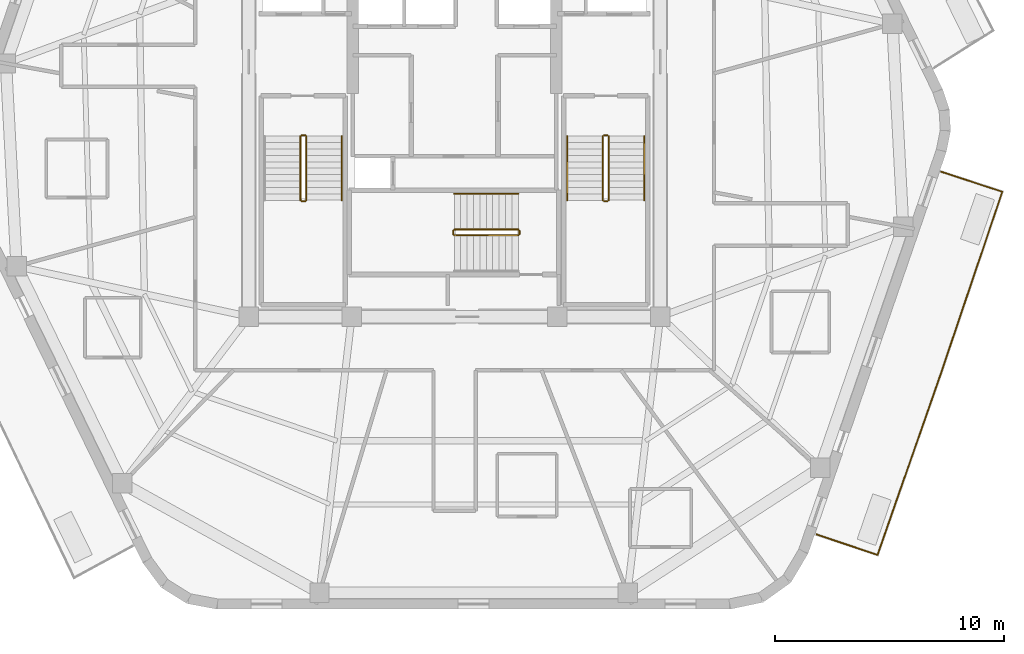
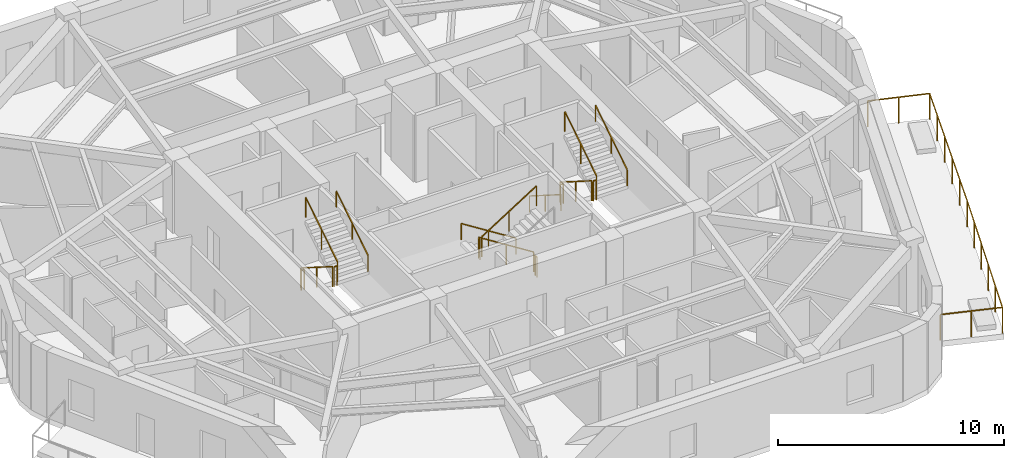
# One storey, part 8 of 9: 17 railings.
"""IFC4 building model written with IfcOpenShell, lengths in metres."""

from ifc_helpers import new_model, si_unit, direction, frame, origin, origin_2d, place, context, subcontext, project, spatial, rectangle, extrude, material, layer, layer_set, type_object, element, save


model = new_model("IFC4")

# Units and contexts
model_context = context("Model", 3, precision=1e-05, world=origin(), true_north=direction((0.0, 1.0)))
body_context = subcontext(model_context, "Body", "Model", "MODEL_VIEW")
ifc_project = project(units=[si_unit("LENGTHUNIT", "METRE"), si_unit("AREAUNIT", "SQUARE_METRE"), si_unit("VOLUMEUNIT", "CUBIC_METRE"), si_unit("PLANEANGLEUNIT", "RADIAN"), si_unit("MASSUNIT", "GRAM", prefix="KILO")], contexts=[model_context])

# Site, building, storey
site_placement = place(None, origin())
site = spatial("IfcSite", under=ifc_project, at=site_placement, CompositionType="ELEMENT")
building_placement = place(site_placement, origin())
building = spatial("IfcBuilding", under=site, at=building_placement, Name="Kilnhurst Terrace Hotel", CompositionType="ELEMENT")
storey_placement = place(building_placement, frame((0.0, 0.0, 276.89990234375)))
storey = spatial("IfcBuildingStorey", under=building, at=storey_placement, Name="L69", CompositionType="ELEMENT", Elevation=276.89990234375)

# Railings
ifc_material_1 = material(Name="Laminated SentryGlas and Stainless Steel AISI 316L Balustrade", Category="steel")
ifc_layer_1 = layer(ifc_material_1, 0.070068359375, Name="Laminated SentryGlas and Stainless Steel AISI 316L Balustrade")
ifc_layer_set_1 = layer_set([ifc_layer_1], Name="Laminated SentryGlas and Stainless Steel AISI 316L Balustrade")
railing_type_1 = type_object("IfcRailingType", Name="RLG-BAL-1420", PredefinedType="BALUSTRADE", material=ifc_layer_set_1)
railing_1_placement = place(storey_placement, frame((21.298828125, -1.166748046875, 0.0)))
element("IfcRailing", 1, at=railing_1_placement, inside=storey, type_object=railing_type_1, Name="L69 Exterior Terrace Guardrail BAL-L1A.1", PredefinedType="BALUSTRADE", context=body_context, shape_type="SweptSolid", body=[
    extrude(rectangle(XDim=0.048095703125, YDim=0.048095703125, at=origin_2d()), frame((0.0, 0.0, 1.39599609375), z_axis=(0.950394786916, -0.311046216827, 0.0), x_axis=(0.311046216827, 0.950394786916, 0.0)), (0.0, 0.0, 1.0), 2.80126953125),
    extrude(rectangle(XDim=0.048095703125, YDim=0.048095703125, at=origin_2d()), frame((2.662353515625, -0.871337890625, 1.39599609375), z_axis=(-0.319895813217, -0.94745272636, 0.0), x_axis=(0.94745272636, -0.319895813217, 0.0)), (0.0, 0.0, 1.0), 8.44091796875),
    extrude(rectangle(XDim=0.048095703125, YDim=0.048095703125, at=origin_2d()), frame((-0.037841796875, -8.86865234375, 1.39599609375), z_axis=(-0.329893619994, -0.944018113962, 0.0), x_axis=(0.944018113962, -0.329893619994, 0.0)), (0.0, 0.0, 1.0), 8.356689453125),
    extrude(rectangle(XDim=0.048095703125, YDim=0.048095703125, at=origin_2d()), frame((-2.794677734375, -16.757568359375, 1.39599609375), z_axis=(-0.948082201611, 0.318025374757, 0.0), x_axis=(-0.318025374757, -0.948082201611, 0.0)), (0.0, 0.0, 1.0), 2.810546875),
    extrude(rectangle(XDim=0.0419921875, YDim=0.0419921875, at=origin_2d()), origin(), (0.0, 0.0, 1.0), 1.371826171875),
    extrude(rectangle(XDim=0.0419921875, YDim=0.0419921875, at=origin_2d()), frame((1.3310546875, -0.435546875, 0.0)), (0.0, 0.0, 1.0), 1.371826171875),
    extrude(rectangle(XDim=0.0419921875, YDim=0.0419921875, at=origin_2d()), frame((2.662353515625, -0.871337890625, 0.0)), (0.0, 0.0, 1.0), 1.371826171875),
    extrude(rectangle(XDim=0.0419921875, YDim=0.0419921875, at=origin_2d()), frame((2.122314453125, -2.470703125, 0.0)), (0.0, 0.0, 1.0), 1.371826171875),
    extrude(rectangle(XDim=0.0419921875, YDim=0.0419921875, at=origin_2d()), frame((1.582275390625, -4.0703125, 0.0)), (0.0, 0.0, 1.0), 1.371826171875),
    extrude(rectangle(XDim=0.0419921875, YDim=0.0419921875, at=origin_2d()), frame((1.042236328125, -5.669677734375, 0.0)), (0.0, 0.0, 1.0), 1.371826171875),
    extrude(rectangle(XDim=0.0419921875, YDim=0.0419921875, at=origin_2d()), frame((0.502197265625, -7.269287109375, 0.0)), (0.0, 0.0, 1.0), 1.371826171875),
    extrude(rectangle(XDim=0.0419921875, YDim=0.0419921875, at=origin_2d()), frame((-0.037841796875, -8.86865234375, 0.0)), (0.0, 0.0, 1.0), 1.371826171875),
    extrude(rectangle(XDim=0.0419921875, YDim=0.0419921875, at=origin_2d()), frame((-0.589111328125, -10.446533203125, 0.0)), (0.0, 0.0, 1.0), 1.371826171875),
    extrude(rectangle(XDim=0.0419921875, YDim=0.0419921875, at=origin_2d()), frame((-1.140625, -12.024169921875, 0.0)), (0.0, 0.0, 1.0), 1.371826171875),
    extrude(rectangle(XDim=0.0419921875, YDim=0.0419921875, at=origin_2d()), frame((-1.69189453125, -13.60205078125, 0.0)), (0.0, 0.0, 1.0), 1.371826171875),
    extrude(rectangle(XDim=0.0419921875, YDim=0.0419921875, at=origin_2d()), frame((-2.243408203125, -15.1796875, 0.0)), (0.0, 0.0, 1.0), 1.371826171875),
    extrude(rectangle(XDim=0.0419921875, YDim=0.0419921875, at=origin_2d()), frame((-2.794677734375, -16.757568359375, 0.0)), (0.0, 0.0, 1.0), 1.371826171875),
    extrude(rectangle(XDim=0.0419921875, YDim=0.0419921875, at=origin_2d()), frame((-4.126953125, -16.310546875, 0.0)), (0.0, 0.0, 1.0), 1.371826171875),
    extrude(rectangle(XDim=0.0419921875, YDim=0.0419921875, at=origin_2d()), frame((-5.459228515625, -15.86376953125, 0.0)), (0.0, 0.0, 1.0), 1.371826171875),
])
ifc_material_2 = material(Name="Powder-Coated Steel ASTM A500 Grade B", Category="steel")
ifc_layer_2 = layer(ifc_material_2, 0.050048828125, Name="Powder-Coated Steel ASTM A500 Grade B")
ifc_layer_set_2 = layer_set([ifc_layer_2], Name="Powder-Coated Steel ASTM A500 Grade B")
railing_type_2 = type_object("IfcRailingType", Name="RLG-ST-GRD-1100", PredefinedType="GUARDRAIL", material=ifc_layer_set_2)
railing_2_placement = place(storey_placement, frame((-6.739990234375, 0.389892578125, 0.177490234375)))
element("IfcRailing", 2, at=railing_2_placement, inside=storey, type_object=railing_type_2, Name="L69 ST-1 stair guard 1", PredefinedType="GUARDRAIL", context=body_context, shape_type="SweptSolid", body=[
    extrude(rectangle(XDim=0.048095703125, YDim=0.048095703125, at=origin_2d()), frame((0.0, 0.0, 1.076171875), z_axis=(0.0, -0.844887892834, 0.53494340686), x_axis=(1.0, 0.0, 0.0)), (0.0, 0.0, 1.0), 3.313720703125),
    extrude(rectangle(XDim=0.0419921875, YDim=0.0419921875, at=origin_2d()), origin(), (0.0, 0.0, 1.0), 1.052001953125),
    extrude(rectangle(XDim=0.0419921875, YDim=0.0419921875, at=origin_2d()), frame((0.0, -1.39990234375, 0.88623046875)), (0.0, 0.0, 1.0), 1.052001953125),
    extrude(rectangle(XDim=0.0419921875, YDim=0.0419921875, at=origin_2d()), frame((0.0, -2.7998046875, 1.772705078125)), (0.0, 0.0, 1.0), 1.052001953125),
])
railing_3_placement = place(storey_placement, frame((-6.68994140625, -2.4599609375, 1.9501953125)))
element("IfcRailing", 3, at=railing_3_placement, inside=storey, type_object=railing_type_2, Name="L69 ST-1 stair guard 2", PredefinedType="GUARDRAIL", context=body_context, shape_type="SweptSolid", body=[
    extrude(rectangle(XDim=0.048095703125, YDim=0.048095703125, at=origin_2d()), frame((0.0, 0.0, 1.076171875), z_axis=(1.0, 0.0, 0.0), x_axis=(0.0, 1.0, 0.0)), (0.0, 0.0, 1.0), 0.14990234375),
    extrude(rectangle(XDim=0.0419921875, YDim=0.0419921875, at=origin_2d()), origin(), (0.0, 0.0, 1.0), 1.052001953125),
    extrude(rectangle(XDim=0.0419921875, YDim=0.0419921875, at=origin_2d()), frame((0.14990234375, 0.0, 0.0)), (0.0, 0.0, 1.0), 1.052001953125),
])
railing_4_placement = place(storey_placement, frame((-6.489990234375, -2.409912109375, 2.12744140625)))
element("IfcRailing", 4, at=railing_4_placement, inside=storey, type_object=railing_type_2, Name="L69 ST-1 stair guard 3", PredefinedType="GUARDRAIL", context=body_context, shape_type="SweptSolid", body=[
    extrude(rectangle(XDim=0.048095703125, YDim=0.048095703125, at=origin_2d()), frame((0.0, 0.0, 1.076171875), z_axis=(0.0, 0.844887892834, 0.53494340686), x_axis=(-1.0, 0.0, 0.0)), (0.0, 0.0, 1.0), 3.313720703125),
    extrude(rectangle(XDim=0.0419921875, YDim=0.0419921875, at=origin_2d()), origin(), (0.0, 0.0, 1.0), 1.052001953125),
    extrude(rectangle(XDim=0.0419921875, YDim=0.0419921875, at=origin_2d()), frame((0.0, 1.39990234375, 0.88623046875)), (0.0, 0.0, 1.0), 1.052001953125),
    extrude(rectangle(XDim=0.0419921875, YDim=0.0419921875, at=origin_2d()), frame((0.0, 2.7998046875, 1.772705078125)), (0.0, 0.0, 1.0), 1.052001953125),
])
railing_5_placement = place(storey_placement, frame((-6.68994140625, 0.43994140625, 0.0)))
element("IfcRailing", 5, at=railing_5_placement, inside=storey, type_object=railing_type_2, Name="L69 ST-1 stair guard 4", PredefinedType="GUARDRAIL", context=body_context, shape_type="SweptSolid", body=[
    extrude(rectangle(XDim=0.048095703125, YDim=0.048095703125, at=origin_2d()), frame((0.0, 0.0, 1.076171875), z_axis=(1.0, 0.0, 0.0), x_axis=(0.0, 1.0, 0.0)), (0.0, 0.0, 1.0), 0.14990234375),
    extrude(rectangle(XDim=0.0419921875, YDim=0.0419921875, at=origin_2d()), origin(), (0.0, 0.0, 1.0), 1.052001953125),
    extrude(rectangle(XDim=0.0419921875, YDim=0.0419921875, at=origin_2d()), frame((0.14990234375, 0.0, 0.0)), (0.0, 0.0, 1.0), 1.052001953125),
])
railing_6_placement = place(storey_placement, frame((6.489990234375, 0.389892578125, 0.177490234375)))
element("IfcRailing", 6, at=railing_6_placement, inside=storey, type_object=railing_type_2, Name="L69 ST-2 stair guard 1", PredefinedType="GUARDRAIL", context=body_context, shape_type="SweptSolid", body=[
    extrude(rectangle(XDim=0.048095703125, YDim=0.048095703125, at=origin_2d()), frame((0.0, 0.0, 1.076171875), z_axis=(0.0, -0.844887892834, 0.53494340686), x_axis=(1.0, 0.0, 0.0)), (0.0, 0.0, 1.0), 3.313720703125),
    extrude(rectangle(XDim=0.0419921875, YDim=0.0419921875, at=origin_2d()), origin(), (0.0, 0.0, 1.0), 1.052001953125),
    extrude(rectangle(XDim=0.0419921875, YDim=0.0419921875, at=origin_2d()), frame((0.0, -1.39990234375, 0.88623046875)), (0.0, 0.0, 1.0), 1.052001953125),
    extrude(rectangle(XDim=0.0419921875, YDim=0.0419921875, at=origin_2d()), frame((0.0, -2.7998046875, 1.772705078125)), (0.0, 0.0, 1.0), 1.052001953125),
])
railing_7_placement = place(storey_placement, frame((6.5400390625, -2.4599609375, 1.9501953125)))
element("IfcRailing", 7, at=railing_7_placement, inside=storey, type_object=railing_type_2, Name="L69 ST-2 stair guard 2", PredefinedType="GUARDRAIL", context=body_context, shape_type="SweptSolid", body=[
    extrude(rectangle(XDim=0.048095703125, YDim=0.048095703125, at=origin_2d()), frame((0.0, 0.0, 1.076171875), z_axis=(1.0, 0.0, 0.0), x_axis=(0.0, 1.0, 0.0)), (0.0, 0.0, 1.0), 0.14990234375),
    extrude(rectangle(XDim=0.0419921875, YDim=0.0419921875, at=origin_2d()), origin(), (0.0, 0.0, 1.0), 1.052001953125),
    extrude(rectangle(XDim=0.0419921875, YDim=0.0419921875, at=origin_2d()), frame((0.14990234375, 0.0, 0.0)), (0.0, 0.0, 1.0), 1.052001953125),
])
railing_8_placement = place(storey_placement, frame((6.739990234375, -2.409912109375, 2.12744140625)))
element("IfcRailing", 8, at=railing_8_placement, inside=storey, type_object=railing_type_2, Name="L69 ST-2 stair guard 3", PredefinedType="GUARDRAIL", context=body_context, shape_type="SweptSolid", body=[
    extrude(rectangle(XDim=0.048095703125, YDim=0.048095703125, at=origin_2d()), frame((0.0, 0.0, 1.076171875), z_axis=(0.0, 0.844887892834, 0.53494340686), x_axis=(-1.0, 0.0, 0.0)), (0.0, 0.0, 1.0), 3.313720703125),
    extrude(rectangle(XDim=0.0419921875, YDim=0.0419921875, at=origin_2d()), origin(), (0.0, 0.0, 1.0), 1.052001953125),
    extrude(rectangle(XDim=0.0419921875, YDim=0.0419921875, at=origin_2d()), frame((0.0, 1.39990234375, 0.88623046875)), (0.0, 0.0, 1.0), 1.052001953125),
    extrude(rectangle(XDim=0.0419921875, YDim=0.0419921875, at=origin_2d()), frame((0.0, 2.7998046875, 1.772705078125)), (0.0, 0.0, 1.0), 1.052001953125),
])
railing_9_placement = place(storey_placement, frame((6.5400390625, 0.43994140625, 0.0)))
element("IfcRailing", 9, at=railing_9_placement, inside=storey, type_object=railing_type_2, Name="L69 ST-2 stair guard 4", PredefinedType="GUARDRAIL", context=body_context, shape_type="SweptSolid", body=[
    extrude(rectangle(XDim=0.048095703125, YDim=0.048095703125, at=origin_2d()), frame((0.0, 0.0, 1.076171875), z_axis=(1.0, 0.0, 0.0), x_axis=(0.0, 1.0, 0.0)), (0.0, 0.0, 1.0), 0.14990234375),
    extrude(rectangle(XDim=0.0419921875, YDim=0.0419921875, at=origin_2d()), origin(), (0.0, 0.0, 1.0), 1.052001953125),
    extrude(rectangle(XDim=0.0419921875, YDim=0.0419921875, at=origin_2d()), frame((0.14990234375, 0.0, 0.0)), (0.0, 0.0, 1.0), 1.052001953125),
])
railing_10_placement = place(storey_placement, frame((2.7900390625, -3.68994140625, 0.177490234375)))
element("IfcRailing", 10, at=railing_10_placement, inside=storey, type_object=railing_type_2, Name="L69 ST-3 stair guard 1", PredefinedType="GUARDRAIL", context=body_context, shape_type="SweptSolid", body=[
    extrude(rectangle(XDim=0.048095703125, YDim=0.048095703125, at=origin_2d()), frame((0.0, 0.0, 1.076171875), z_axis=(-0.844908973607, 0.0, 0.534910110503), x_axis=(0.0, -1.0, 0.0)), (0.0, 0.0, 1.0), 3.31396484375),
    extrude(rectangle(XDim=0.0419921875, YDim=0.0419921875, at=origin_2d()), origin(), (0.0, 0.0, 1.0), 1.052001953125),
    extrude(rectangle(XDim=0.0419921875, YDim=0.0419921875, at=origin_2d()), frame((-1.39990234375, 0.0, 0.88623046875)), (0.0, 0.0, 1.0), 1.052001953125),
    extrude(rectangle(XDim=0.0419921875, YDim=0.0419921875, at=origin_2d()), frame((-2.800048828125, 0.0, 1.772705078125)), (0.0, 0.0, 1.0), 1.052001953125),
])
railing_11_placement = place(storey_placement, frame((-0.06005859375, -3.739990234375, 1.9501953125)))
element("IfcRailing", 11, at=railing_11_placement, inside=storey, type_object=railing_type_2, Name="L69 ST-3 stair guard 2", PredefinedType="GUARDRAIL", context=body_context, shape_type="SweptSolid", body=[
    extrude(rectangle(XDim=0.048095703125, YDim=0.048095703125, at=origin_2d()), frame((0.0, 0.0, 1.076171875), z_axis=(0.0, -1.0, 0.0), x_axis=(1.0, 0.0, 0.0)), (0.0, 0.0, 1.0), 0.14990234375),
    extrude(rectangle(XDim=0.0419921875, YDim=0.0419921875, at=origin_2d()), origin(), (0.0, 0.0, 1.0), 1.052001953125),
    extrude(rectangle(XDim=0.0419921875, YDim=0.0419921875, at=origin_2d()), frame((0.0, -0.14990234375, 0.0)), (0.0, 0.0, 1.0), 1.052001953125),
])
railing_12_placement = place(storey_placement, frame((-0.010009765625, -3.93994140625, 2.12744140625)))
element("IfcRailing", 12, at=railing_12_placement, inside=storey, type_object=railing_type_2, Name="L69 ST-3 stair guard 3", PredefinedType="GUARDRAIL", context=body_context, shape_type="SweptSolid", body=[
    extrude(rectangle(XDim=0.048095703125, YDim=0.048095703125, at=origin_2d()), frame((0.0, 0.0, 1.076171875), z_axis=(0.844908973607, 0.0, 0.534910110503), x_axis=(0.0, 1.0, 0.0)), (0.0, 0.0, 1.0), 3.31396484375),
    extrude(rectangle(XDim=0.0419921875, YDim=0.0419921875, at=origin_2d()), origin(), (0.0, 0.0, 1.0), 1.052001953125),
    extrude(rectangle(XDim=0.0419921875, YDim=0.0419921875, at=origin_2d()), frame((1.39990234375, 0.0, 0.88623046875)), (0.0, 0.0, 1.0), 1.052001953125),
    extrude(rectangle(XDim=0.0419921875, YDim=0.0419921875, at=origin_2d()), frame((2.800048828125, 0.0, 1.772705078125)), (0.0, 0.0, 1.0), 1.052001953125),
])
railing_13_placement = place(storey_placement, frame((2.840087890625, -3.739990234375, 0.0)))
element("IfcRailing", 13, at=railing_13_placement, inside=storey, type_object=railing_type_2, Name="L69 ST-3 stair guard 4", PredefinedType="GUARDRAIL", context=body_context, shape_type="SweptSolid", body=[
    extrude(rectangle(XDim=0.048095703125, YDim=0.048095703125, at=origin_2d()), frame((0.0, 0.0, 1.076171875), z_axis=(0.0, -1.0, 0.0), x_axis=(1.0, 0.0, 0.0)), (0.0, 0.0, 1.0), 0.14990234375),
    extrude(rectangle(XDim=0.0419921875, YDim=0.0419921875, at=origin_2d()), origin(), (0.0, 0.0, 1.0), 1.052001953125),
    extrude(rectangle(XDim=0.0419921875, YDim=0.0419921875, at=origin_2d()), frame((0.0, -0.14990234375, 0.0)), (0.0, 0.0, 1.0), 1.052001953125),
])
ifc_material_3 = material(Name="Brushed Stainless Steel AISI 304", Category="steel")
ifc_layer_3 = layer(ifc_material_3, 0.048095703125, Name="Brushed Stainless Steel AISI 304")
ifc_layer_set_3 = layer_set([ifc_layer_3], Name="Brushed Stainless Steel AISI 304")
railing_type_3 = type_object("IfcRailingType", Name="RLG-ST-HRL-900", PredefinedType="HANDRAIL", material=ifc_layer_set_3)
railing_14_placement = place(storey_placement, frame((-4.929931640625, -2.409912109375, 2.12744140625)))
element("IfcRailing", 14, at=railing_14_placement, inside=storey, type_object=railing_type_3, Name="L69 ST-1 stair handrail 2", PredefinedType="HANDRAIL", context=body_context, shape_type="SweptSolid", body=[
    extrude(rectangle(XDim=0.048095703125, YDim=0.048095703125, at=origin_2d()), frame((0.0, 0.0, 0.8759765625), z_axis=(0.0, 0.844887892834, 0.53494340686), x_axis=(-1.0, 0.0, 0.0)), (0.0, 0.0, 1.0), 3.313720703125),
    extrude(rectangle(XDim=0.0419921875, YDim=0.0419921875, at=origin_2d()), origin(), (0.0, 0.0, 1.0), 0.851806640625),
    extrude(rectangle(XDim=0.0419921875, YDim=0.0419921875, at=origin_2d()), frame((0.0, 1.39990234375, 0.88623046875)), (0.0, 0.0, 1.0), 0.851806640625),
    extrude(rectangle(XDim=0.0419921875, YDim=0.0419921875, at=origin_2d()), frame((0.0, 2.7998046875, 1.772705078125)), (0.0, 0.0, 1.0), 0.851806640625),
])
railing_15_placement = place(storey_placement, frame((4.929931640625, 0.389892578125, 0.177490234375)))
element("IfcRailing", 15, at=railing_15_placement, inside=storey, type_object=railing_type_3, Name="L69 ST-2 stair handrail 1", PredefinedType="HANDRAIL", context=body_context, shape_type="SweptSolid", body=[
    extrude(rectangle(XDim=0.048095703125, YDim=0.048095703125, at=origin_2d()), frame((0.0, 0.0, 0.8759765625), z_axis=(0.0, -0.844887892834, 0.53494340686), x_axis=(1.0, 0.0, 0.0)), (0.0, 0.0, 1.0), 3.313720703125),
    extrude(rectangle(XDim=0.0419921875, YDim=0.0419921875, at=origin_2d()), origin(), (0.0, 0.0, 1.0), 0.851806640625),
    extrude(rectangle(XDim=0.0419921875, YDim=0.0419921875, at=origin_2d()), frame((0.0, -1.39990234375, 0.88623046875)), (0.0, 0.0, 1.0), 0.851806640625),
    extrude(rectangle(XDim=0.0419921875, YDim=0.0419921875, at=origin_2d()), frame((0.0, -2.7998046875, 1.772705078125)), (0.0, 0.0, 1.0), 0.851806640625),
])
railing_16_placement = place(storey_placement, frame((8.300048828125, -2.409912109375, 2.12744140625)))
element("IfcRailing", 16, at=railing_16_placement, inside=storey, type_object=railing_type_3, Name="L69 ST-2 stair handrail 2", PredefinedType="HANDRAIL", context=body_context, shape_type="SweptSolid", body=[
    extrude(rectangle(XDim=0.048095703125, YDim=0.048095703125, at=origin_2d()), frame((0.0, 0.0, 0.8759765625), z_axis=(0.0, 0.844887892834, 0.53494340686), x_axis=(-1.0, 0.0, 0.0)), (0.0, 0.0, 1.0), 3.313720703125),
    extrude(rectangle(XDim=0.0419921875, YDim=0.0419921875, at=origin_2d()), origin(), (0.0, 0.0, 1.0), 0.851806640625),
    extrude(rectangle(XDim=0.0419921875, YDim=0.0419921875, at=origin_2d()), frame((0.0, 1.39990234375, 0.88623046875)), (0.0, 0.0, 1.0), 0.851806640625),
    extrude(rectangle(XDim=0.0419921875, YDim=0.0419921875, at=origin_2d()), frame((0.0, 2.7998046875, 1.772705078125)), (0.0, 0.0, 1.0), 0.851806640625),
])
railing_17_placement = place(storey_placement, frame((2.7900390625, -2.1298828125, 0.177490234375)))
element("IfcRailing", 17, at=railing_17_placement, inside=storey, type_object=railing_type_3, Name="L69 ST-3 stair handrail 1", PredefinedType="HANDRAIL", context=body_context, shape_type="SweptSolid", body=[
    extrude(rectangle(XDim=0.048095703125, YDim=0.048095703125, at=origin_2d()), frame((0.0, 0.0, 0.8759765625), z_axis=(-0.844908973607, 0.0, 0.534910110503), x_axis=(0.0, -1.0, 0.0)), (0.0, 0.0, 1.0), 3.31396484375),
    extrude(rectangle(XDim=0.0419921875, YDim=0.0419921875, at=origin_2d()), origin(), (0.0, 0.0, 1.0), 0.851806640625),
    extrude(rectangle(XDim=0.0419921875, YDim=0.0419921875, at=origin_2d()), frame((-1.39990234375, 0.0, 0.88623046875)), (0.0, 0.0, 1.0), 0.851806640625),
    extrude(rectangle(XDim=0.0419921875, YDim=0.0419921875, at=origin_2d()), frame((-2.800048828125, 0.0, 1.772705078125)), (0.0, 0.0, 1.0), 0.851806640625),
])

save(model, "model.ifc")
